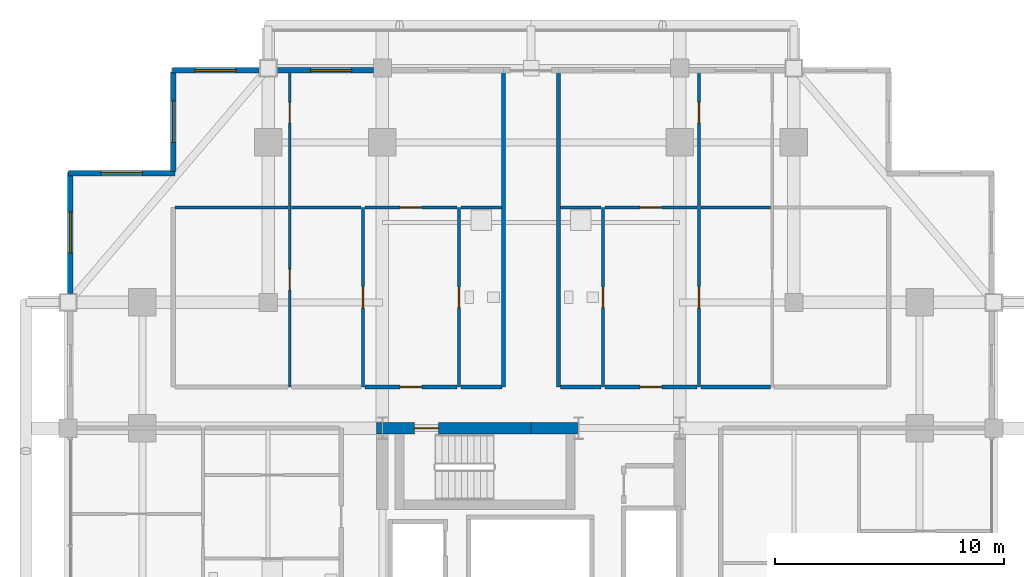
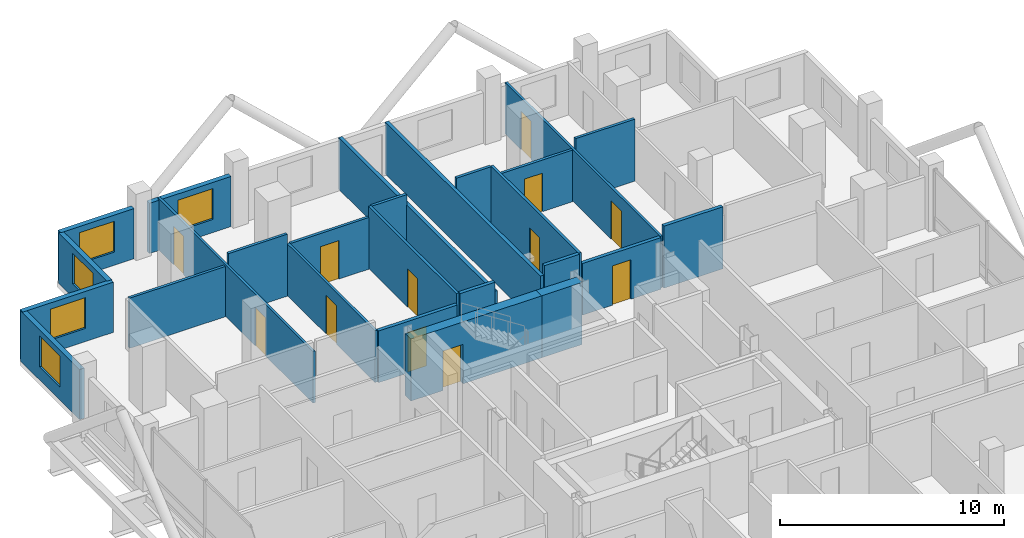
# One storey, part 17 of 21: 26 walls, 12 doors, 5 windows, 17 openings.
"""IFC4 building model written with IfcOpenShell, lengths in metres."""

import ifcopenshell
import ifcopenshell.guid

model = None  # the IFC model being written
_history = None  # IfcOwnerHistory: only IFC2X3 demands one
_inside = {}  # id of a spatial element -> (the spatial element, [elements in it])
_under = {}  # id of a project, library or spatial element -> (it, [spatial elements below it])
_declared = {}  # id of a project -> (the project, [libraries it declares])
_typed = {}  # id of a type object -> (the type object, [elements of that type])
_made_of = {}  # id of a material, layer set ... -> (it, [elements and type objects made of it])


def new_model(schema):
    """Start an empty IFC model of exactly this schema.

    Asked for "IFC4X3", IfcOpenShell would pick the latest addendum, in which some entities
    have other attributes; the version numbers below select the first issue.
    IFC2X3 requires an IfcOwnerHistory on every rooted entity: one is made here for all.
    """
    global model, _history
    if schema == "IFC4X3":
        model = ifcopenshell.file(schema_version=(4, 3, 0, 0))
    else:
        model = ifcopenshell.file(schema=schema)
    _inside.clear()
    _under.clear()
    _declared.clear()
    _typed.clear()
    _made_of.clear()
    _history = None
    if model.schema == "IFC2X3":
        org = make("IfcOrganization", Name="unknown")
        user = make(
            "IfcPersonAndOrganization",
            ThePerson=make("IfcPerson", FamilyName="unknown"),
            TheOrganization=org,
        )
        app = make(
            "IfcApplication",
            ApplicationDeveloper=org,
            Version="unknown",
            ApplicationFullName="unknown",
            ApplicationIdentifier="unknown",
        )
        _history = make(
            "IfcOwnerHistory",
            OwningUser=user,
            OwningApplication=app,
            ChangeAction="ADDED",
            CreationDate=0,
        )
    return model


def make(cls, **values):
    """One entity of the class cls with the attributes given. An attribute that is None is left unset."""
    return model.create_entity(
        cls, **{name: value for name, value in values.items() if value is not None}
    )


def rooted(cls, **values):
    """An entity with a GlobalId (a new one), such as an element, a storey or a relation."""
    return make(cls, GlobalId=ifcopenshell.guid.new(), OwnerHistory=_history, **values)


def si_unit(unit_type, name, prefix=None):
    """IfcSIUnit, for example si_unit("LENGTHUNIT", "METRE", prefix="MILLI")."""
    return make("IfcSIUnit", UnitType=unit_type, Prefix=prefix, Name=name)


def assignment(units):
    """IfcUnitAssignment: the units of a project."""
    return None if units is None else make("IfcUnitAssignment", Units=units)


def point(xyz):
    """IfcCartesianPoint."""
    return None if xyz is None else make("IfcCartesianPoint", Coordinates=xyz)


def direction(xyz):
    """IfcDirection."""
    return None if xyz is None else make("IfcDirection", DirectionRatios=xyz)


def frame(location, z_axis=None, x_axis=None):
    """IfcAxis2Placement3D, a coordinate frame: its origin and axes. An axis left out is left unset."""
    return make(
        "IfcAxis2Placement3D",
        Location=point(location),
        Axis=direction(z_axis),
        RefDirection=direction(x_axis),
    )


def frame_2d(location, x_axis=None):
    """IfcAxis2Placement2D, a coordinate frame in the plane: its origin and x axis."""
    return make(
        "IfcAxis2Placement2D", Location=point(location), RefDirection=direction(x_axis)
    )


def origin():
    """The frame at (0, 0, 0) with its axes left unset."""
    return frame((0.0, 0.0, 0.0))


def place(relative_to, where):
    """IfcLocalPlacement: puts the frame where relative to a parent placement (None: the world)."""
    return make(
        "IfcLocalPlacement", PlacementRelTo=relative_to, RelativePlacement=where
    )


def context(
    kind, dimensions, precision=None, world=None, true_north=None, identifier=None
):
    """IfcGeometricRepresentationContext, for example the 3D "Model" context."""
    return make(
        "IfcGeometricRepresentationContext",
        ContextIdentifier=identifier,
        ContextType=kind,
        CoordinateSpaceDimension=dimensions,
        Precision=precision,
        WorldCoordinateSystem=world,
        TrueNorth=true_north,
    )


def subcontext(parent, identifier, kind, view, scale=None):
    """IfcGeometricRepresentationSubContext, for example "Body" below "Model"."""
    return make(
        "IfcGeometricRepresentationSubContext",
        ContextIdentifier=identifier,
        ContextType=kind,
        ParentContext=parent,
        TargetScale=scale,
        TargetView=view,
    )


def project(units=None, contexts=None):
    """IfcProject with its units and contexts."""
    return rooted(
        "IfcProject",
        Name="project",
        RepresentationContexts=contexts,
        UnitsInContext=assignment(units),
    )


def spatial(cls, under=None, at=None, **own):
    """A site, building, storey or space (cls), placed at a placement, below another one or the project."""
    s = rooted(cls, ObjectPlacement=at, **own)
    if under is not None:
        _under.setdefault(under.id(), (under, []))[1].append(s)
    return s


def profile(cls, at=None, kind="AREA", **sizes):
    """A parametric profile (cls). Its sizes go by their IFC names, for example OverallWidth=200.0."""
    return make(cls, ProfileType=kind, Position=at, **sizes)


def rectangle(**sizes):
    """IfcRectangleProfileDef."""
    return profile("IfcRectangleProfileDef", **sizes)


def extrude(swept, where, along, depth):
    """IfcExtrudedAreaSolid: the profile swept, set in the frame where, extruded along a direction by depth."""
    return make(
        "IfcExtrudedAreaSolid",
        SweptArea=swept,
        Position=where,
        ExtrudedDirection=direction(along),
        Depth=depth,
    )


def shape(context_of_items, identifier, shape_type, items):
    """IfcShapeRepresentation: the items that make up one representation, for example the "Body"."""
    return make(
        "IfcShapeRepresentation",
        ContextOfItems=context_of_items,
        RepresentationIdentifier=identifier,
        RepresentationType=shape_type,
        Items=items,
    )


def material(Name=None, Category=None):
    """IfcMaterial."""
    return make("IfcMaterial", Name=Name, Category=Category)


def layer(
    of_material, thickness, ventilated=None, Name=None, Category=None, Priority=None
):
    """IfcMaterialLayer: one layer of a wall or slab, of a material (None: an air gap)."""
    return make(
        "IfcMaterialLayer",
        Material=of_material,
        LayerThickness=thickness,
        IsVentilated=ventilated,
        Name=Name,
        Category=Category,
        Priority=Priority,
    )


def layer_set(layers, Name=None):
    """IfcMaterialLayerSet."""
    return make("IfcMaterialLayerSet", MaterialLayers=layers, LayerSetName=Name)


def made_of(thing, what):
    """Note that an element or type object is made of a material, layer set ...; save() writes the relation."""
    if what is not None:
        _made_of.setdefault(what.id(), (what, []))[1].append(thing)
    return thing


def type_object(cls, material=None, **own):
    """A type object (cls), such as IfcWallType, which elements share."""
    return made_of(rooted(cls, **own), material)


def element(
    cls,
    number,
    at=None,
    inside=None,
    cuts=None,
    type_object=None,
    material=None,
    context=None,
    identifier="Body",
    shape_type=None,
    held_by="IfcProductDefinitionShape",
    body=None,
    shapes=None,
    **own,
):
    """One element of the class cls, such as IfcWall. Its Tag is "e" and its number.

    at: its placement. inside: the storey or other place that contains it. cuts: it is an
    opening in that element (IfcRelVoidsElement). A single representation is given by context,
    identifier, shape_type and body (its items); several are given by shapes. held_by: the class
    of the entity that holds the representations. save() writes the other relations.
    """
    e = rooted(cls, Tag="e%d" % number, ObjectPlacement=at, **own)
    if body is not None:
        shapes = [shape(context, identifier, shape_type, body)]
    if shapes is not None:
        e.Representation = make(held_by, Representations=shapes)
    if inside is not None:
        _inside.setdefault(inside.id(), (inside, []))[1].append(e)
    if cuts is not None:
        rooted(
            "IfcRelVoidsElement", RelatingBuildingElement=cuts, RelatedOpeningElement=e
        )
    if type_object is not None:
        _typed.setdefault(type_object.id(), (type_object, []))[1].append(e)
    return made_of(e, material)


def fill(opening, filler):
    """IfcRelFillsElement: the door or window that sits in an opening."""
    return rooted(
        "IfcRelFillsElement",
        RelatingOpeningElement=opening,
        RelatedBuildingElement=filler,
    )


def aggregate(whole, parts):
    """IfcRelAggregates: a whole, such as a stair, and the parts it consists of."""
    return rooted("IfcRelAggregates", RelatingObject=whole, RelatedObjects=parts)


def save(model, path):
    """Write the relations noted so far, then the file.

    IfcRelAggregates (storeys below a building ...), IfcRelContainedInSpatialStructure (elements
    in a storey), IfcRelDefinesByType, IfcRelAssociatesMaterial and IfcRelDeclares: one each for
    every whole, place, type object, material and project.
    """
    for whole, parts in _under.values():
        aggregate(whole, parts)
    for where, things in _inside.values():
        rooted(
            "IfcRelContainedInSpatialStructure",
            RelatedElements=things,
            RelatingStructure=where,
        )
    for kind, things in _typed.values():
        rooted("IfcRelDefinesByType", RelatedObjects=things, RelatingType=kind)
    for what, things in _made_of.values():
        rooted("IfcRelAssociatesMaterial", RelatedObjects=things, RelatingMaterial=what)
    for by, libraries in _declared.values():
        rooted("IfcRelDeclares", RelatingContext=by, RelatedDefinitions=libraries)
    model.write(path)


model = new_model("IFC4")

# Units and contexts
model_context = context("Model", 3, precision=1e-05, world=origin(), true_north=direction((0.0, 1.0)))
body_context = subcontext(model_context, "Body", "Model", "MODEL_VIEW")
ifc_project = project(units=[si_unit("LENGTHUNIT", "METRE"), si_unit("AREAUNIT", "SQUARE_METRE"), si_unit("VOLUMEUNIT", "CUBIC_METRE"), si_unit("PLANEANGLEUNIT", "RADIAN"), si_unit("MASSUNIT", "GRAM", prefix="KILO")], contexts=[model_context])

# Site, building, storey
site_placement = place(None, origin())
site = spatial("IfcSite", under=ifc_project, at=site_placement, CompositionType="ELEMENT")
building_placement = place(site_placement, origin())
building = spatial("IfcBuilding", under=site, at=building_placement, Name="Barlavira Tower and Art Museum", CompositionType="ELEMENT")
storey_placement = place(building_placement, frame((0.0, 0.0, 99.0)))
storey = spatial("IfcBuildingStorey", under=building, at=storey_placement, Name="L24", CompositionType="ELEMENT", Elevation=99.0)

# Wall, openings, doors
ifc_material_1 = material(Name="Gypsum acoustic stud partition", Category="gypsum")
ifc_layer_1 = layer(ifc_material_1, 0.1201171875, Name="Gypsum acoustic stud partition")
ifc_layer_set_1 = layer_set([ifc_layer_1], Name="Gypsum acoustic stud partition")
wall_type_1 = type_object("IfcWallType", Name="Apartment Internal Acoustic Partition 120", PredefinedType="PARTITIONING", material=ifc_layer_set_1)
wall_1_placement = place(storey_placement, frame((-10.550048828125, 9.300048828125, 0.0), z_axis=(0.0, 0.0, 1.0), x_axis=(0.0, 1.0, 0.0)))
wall_1 = element("IfcWall", 1, at=wall_1_placement, inside=storey, type_object=wall_type_1, Name="L24 Partition Wall 5", PredefinedType="PARTITIONING", context=body_context, shape_type="SweptSolid", body=[
    extrude(rectangle(XDim=13.849853515625, YDim=0.1201171875, at=frame_2d((6.9248046875, 0.0))), origin(), (0.0, 0.0, 1.0), 2.81591796875),
])
opening_1_placement = place(wall_1_placement, frame((4.249267578125, 0.0, 0.0)))
opening_1 = element("IfcOpeningElement", 2, at=opening_1_placement, cuts=wall_1, Name="Opening D-01", PredefinedType="OPENING", context=body_context, shape_type="SweptSolid", body=[
    extrude(rectangle(XDim=0.89990234375, YDim=2.10009765625, at=frame_2d((0.449951171875, 1.050048828125))), frame((0.0, 0.070068359375, 0.0), z_axis=(0.0, -1.0, 0.0), x_axis=(1.0, 0.0, 0.0)), (0.0, 0.0, 1.0), 0.14013671875),
])
opening_2_placement = place(wall_1_placement, frame((11.551025390625, 0.0, 0.0)))
opening_2 = element("IfcOpeningElement", 3, at=opening_2_placement, cuts=wall_1, Name="Opening D-01", PredefinedType="OPENING", context=body_context, shape_type="SweptSolid", body=[
    extrude(rectangle(XDim=0.89990234375, YDim=2.10009765625, at=frame_2d((0.449951171875, 1.050048828125))), frame((0.0, 0.070068359375, 0.0), z_axis=(0.0, -1.0, 0.0), x_axis=(1.0, 0.0, 0.0)), (0.0, 0.0, 1.0), 0.14013671875),
])
ifc_material_2 = material(Name="Engineered coastal hardwood", Category="wood")
door_type_1 = type_object("IfcDoorType", Name="Internal Bedroom Timber Flush Door 900x2100", OperationType="NOTDEFINED", PredefinedType="DOOR", material=ifc_material_2)
door_1_placement = place(opening_1_placement, origin())
door_1 = element("IfcDoor", 4, at=door_1_placement, inside=storey, type_object=door_type_1, Name="Apartment NW1 Walk-In Dressing Room Door", OperationType="SINGLE_SWING_LEFT", OverallHeight=2.10009765625, OverallWidth=0.89990234375, PredefinedType="DOOR", context=body_context, shape_type="SweptSolid", body=[
    extrude(rectangle(XDim=0.89990234375, YDim=2.10009765625, at=frame_2d((0.449951171875, 1.050048828125))), frame((0.0, 0.02490234375, 0.0), z_axis=(0.0, -1.0, 0.0), x_axis=(1.0, 0.0, 0.0)), (0.0, 0.0, 1.0), 0.050048828125),
])
fill(opening_1, door_1)
door_2_placement = place(opening_2_placement, origin())
door_2 = element("IfcDoor", 5, at=door_2_placement, inside=storey, type_object=door_type_1, Name="Apartment NW1 Bedroom 1 Door", OperationType="SINGLE_SWING_LEFT", OverallHeight=2.10009765625, OverallWidth=0.89990234375, PredefinedType="DOOR", context=body_context, shape_type="SweptSolid", body=[
    extrude(rectangle(XDim=0.89990234375, YDim=2.10009765625, at=frame_2d((0.449951171875, 1.050048828125))), frame((0.0, 0.02490234375, 0.0), z_axis=(0.0, -1.0, 0.0), x_axis=(1.0, 0.0, 0.0)), (0.0, 0.0, 1.0), 0.050048828125),
])
fill(opening_2, door_2)

# Wall, opening, door
wall_2_placement = place(storey_placement, frame((-7.35009765625, 9.300048828125, 0.0), z_axis=(0.0, 0.0, 1.0), x_axis=(0.0, 1.0, 0.0)))
wall_2 = element("IfcWall", 6, at=wall_2_placement, inside=storey, type_object=wall_type_1, Name="L24 Partition Wall 8", PredefinedType="PARTITIONING", context=body_context, shape_type="SweptSolid", body=[
    extrude(rectangle(XDim=7.849853515625, YDim=0.1201171875, at=frame_2d((3.9248046875, 0.0))), origin(), (0.0, 0.0, 1.0), 2.81591796875),
])
opening_3_placement = place(wall_2_placement, frame((3.445068359375, 0.0, 0.0)))
opening_3 = element("IfcOpeningElement", 7, at=opening_3_placement, cuts=wall_2, Name="Opening D-02", PredefinedType="OPENING", context=body_context, shape_type="SweptSolid", body=[
    extrude(rectangle(XDim=0.949951171875, YDim=2.10009765625, at=frame_2d((0.47509765625, 1.050048828125))), frame((0.0, 0.070068359375, 0.0), z_axis=(0.0, -1.0, 0.0), x_axis=(1.0, 0.0, 0.0)), (0.0, 0.0, 1.0), 0.14013671875),
])
door_type_2 = type_object("IfcDoorType", Name="Living and Salon Glazed-Leaf Door 950x2100", OperationType="NOTDEFINED", PredefinedType="DOOR", material=ifc_material_2)
door_3_placement = place(opening_3_placement, origin())
door_3 = element("IfcDoor", 8, at=door_3_placement, inside=storey, type_object=door_type_2, Name="Apartment NW1 Kitchen Door", OperationType="SINGLE_SWING_RIGHT", OverallHeight=2.10009765625, OverallWidth=0.949951171875, PredefinedType="DOOR", context=body_context, shape_type="SweptSolid", body=[
    extrude(rectangle(XDim=0.949951171875, YDim=2.10009765625, at=frame_2d((0.47509765625, 1.050048828125))), frame((0.0, 0.02490234375, 0.0), z_axis=(0.0, -1.0, 0.0), x_axis=(1.0, 0.0, 0.0)), (0.0, 0.0, 1.0), 0.050048828125),
])
fill(opening_3, door_3)

# Wall, openings, doors
wall_3_placement = place(storey_placement, frame((7.35009765625, 9.300048828125, 0.0), z_axis=(0.0, 0.0, 1.0), x_axis=(0.0, 1.0, 0.0)))
wall_3 = element("IfcWall", 9, at=wall_3_placement, inside=storey, type_object=wall_type_1, Name="L24 Partition Wall 19", PredefinedType="PARTITIONING", context=body_context, shape_type="SweptSolid", body=[
    extrude(rectangle(XDim=13.849853515625, YDim=0.1201171875, at=frame_2d((6.9248046875, 0.0))), origin(), (0.0, 0.0, 1.0), 2.81591796875),
])
opening_4_placement = place(wall_3_placement, frame((3.445068359375, 0.0, 0.0)))
opening_4 = element("IfcOpeningElement", 10, at=opening_4_placement, cuts=wall_3, Name="Opening D-02", PredefinedType="OPENING", context=body_context, shape_type="SweptSolid", body=[
    extrude(rectangle(XDim=0.949951171875, YDim=2.10009765625, at=frame_2d((0.47509765625, 1.050048828125))), frame((0.0, 0.070068359375, 0.0), z_axis=(0.0, -1.0, 0.0), x_axis=(1.0, 0.0, 0.0)), (0.0, 0.0, 1.0), 0.14013671875),
])
opening_5_placement = place(wall_3_placement, frame((11.551025390625, 0.0, 0.0)))
opening_5 = element("IfcOpeningElement", 11, at=opening_5_placement, cuts=wall_3, Name="Opening D-01", PredefinedType="OPENING", context=body_context, shape_type="SweptSolid", body=[
    extrude(rectangle(XDim=0.89990234375, YDim=2.10009765625, at=frame_2d((0.449951171875, 1.050048828125))), frame((0.0, 0.070068359375, 0.0), z_axis=(0.0, -1.0, 0.0), x_axis=(1.0, 0.0, 0.0)), (0.0, 0.0, 1.0), 0.14013671875),
])
door_4_placement = place(opening_5_placement, origin())
door_4 = element("IfcDoor", 12, at=door_4_placement, inside=storey, type_object=door_type_1, Name="Apartment NE1 Bedroom 1 Door", OperationType="SINGLE_SWING_LEFT", OverallHeight=2.10009765625, OverallWidth=0.89990234375, PredefinedType="DOOR", context=body_context, shape_type="SweptSolid", body=[
    extrude(rectangle(XDim=0.89990234375, YDim=2.10009765625, at=frame_2d((0.449951171875, 1.050048828125))), frame((0.0, 0.02490234375, 0.0), z_axis=(0.0, -1.0, 0.0), x_axis=(1.0, 0.0, 0.0)), (0.0, 0.0, 1.0), 0.050048828125),
])
fill(opening_5, door_4)
door_5_placement = place(opening_4_placement, origin())
door_5 = element("IfcDoor", 13, at=door_5_placement, inside=storey, type_object=door_type_2, Name="Apartment NE1 Kitchen Door", OperationType="SINGLE_SWING_RIGHT", OverallHeight=2.10009765625, OverallWidth=0.949951171875, PredefinedType="DOOR", context=body_context, shape_type="SweptSolid", body=[
    extrude(rectangle(XDim=0.949951171875, YDim=2.10009765625, at=frame_2d((0.47509765625, 1.050048828125))), frame((0.0, 0.02490234375, 0.0), z_axis=(0.0, -1.0, 0.0), x_axis=(1.0, 0.0, 0.0)), (0.0, 0.0, 1.0), 0.050048828125),
])
fill(opening_4, door_5)

# Wall, opening, door
ifc_material_3 = material(Name="Concrete C60", Category="concrete")
ifc_layer_2 = layer(ifc_material_3, 0.5, Name="Concrete C60")
ifc_layer_set_2 = layer_set([ifc_layer_2], Name="Concrete C60")
wall_type_2 = type_object("IfcWallType", Name="Core Structural Shear Wall 500 Concrete C60", PredefinedType="SHEAR", material=ifc_layer_set_2)
wall_4_placement = place(storey_placement, frame((-6.75, 7.5, 0.0), z_axis=(0.0, 0.0, 1.0), x_axis=(1.0, 0.0, 0.0)))
wall_4 = element("IfcWall", 14, at=wall_4_placement, inside=storey, type_object=wall_type_2, Name="L24 Core Shear Wall CS-NW", PredefinedType="SHEAR", context=body_context, shape_type="SweptSolid", body=[
    extrude(rectangle(XDim=6.75, YDim=0.5, at=frame_2d((3.375, 0.0))), origin(), (0.0, 0.0, 1.0), 3.3798828125),
])
opening_6_placement = place(wall_4_placement, frame((1.64990234375, 0.0, 0.0)))
opening_6 = element("IfcOpeningElement", 15, at=opening_6_placement, cuts=wall_4, Name="Opening FD-90", PredefinedType="OPENING", context=body_context, shape_type="SweptSolid", body=[
    extrude(rectangle(XDim=1.050048828125, YDim=2.14990234375, at=frame_2d((0.52490234375, 1.074951171875))), frame((0.0, 0.260009765625, 0.0), z_axis=(0.0, -1.0, 0.0), x_axis=(1.0, 0.0, 0.0)), (0.0, 0.0, 1.0), 0.52001953125),
])
ifc_material_4 = material(Name="Brushed stainless steel", Category="steel")
door_type_3 = type_object("IfcDoorType", Name="Stair and Refuge Fire Door 1050x2150 FD90S", OperationType="NOTDEFINED", PredefinedType="DOOR", material=ifc_material_4)
door_6_placement = place(opening_6_placement, origin())
door_6 = element("IfcDoor", 16, at=door_6_placement, inside=storey, type_object=door_type_3, Name="L24 Stair ST-T2 Fire Door", OperationType="SINGLE_SWING_LEFT", OverallHeight=2.14990234375, OverallWidth=1.050048828125, PredefinedType="DOOR", context=body_context, shape_type="SweptSolid", body=[
    extrude(rectangle(XDim=1.050048828125, YDim=2.14990234375, at=frame_2d((0.52490234375, 1.074951171875))), frame((0.0, 0.02490234375, 0.0), z_axis=(0.0, -1.0, 0.0), x_axis=(1.0, 0.0, 0.0)), (0.0, 0.0, 1.0), 0.050048828125),
])
fill(opening_6, door_6)

# Walls
wall_5_placement = place(storey_placement, frame((0.0, 7.5, 0.0), z_axis=(0.0, 0.0, 1.0), x_axis=(1.0, 0.0, 0.0)))
element("IfcWall", 17, at=wall_5_placement, inside=storey, type_object=wall_type_2, Name="L24 Core Shear Wall CS-EN", PredefinedType="SHEAR", context=body_context, shape_type="SweptSolid", body=[
    extrude(rectangle(XDim=2.080078125, YDim=0.5, at=frame_2d((1.0400390625, 0.0))), origin(), (0.0, 0.0, 1.0), 3.3798828125),
])
ifc_layer_3 = layer(ifc_material_1, 0.179931640625, Name="Gypsum acoustic stud partition")
ifc_layer_set_3 = layer_set([ifc_layer_3], Name="Gypsum acoustic stud partition")
wall_type_3 = type_object("IfcWallType", Name="Inter-Tenancy Party Partition Wall 180", PredefinedType="PARTITIONING", material=ifc_layer_set_3)
for number, where, z_axis, x_axis, name in (
    (18, (-1.199951171875, 9.300048828125, 0.0), (0.0, 0.0, 1.0), (0.0, 1.0, 0.0), "L24 Partition Wall 12"),
    (19, (1.199951171875, 9.300048828125, 0.0), (0.0, 0.0, 1.0), (0.0, 1.0, 0.0), "L24 Partition Wall 14"),
):
    element("IfcWall", number, at=place(storey_placement, frame(where, z_axis=z_axis, x_axis=x_axis)), inside=storey, type_object=wall_type_3, Name=name, PredefinedType="PARTITIONING", context=body_context, shape_type="SweptSolid", body=[
        extrude(rectangle(XDim=13.849853515625, YDim=0.179931640625, at=frame_2d((6.9248046875, 0.0))), origin(), (0.0, 0.0, 1.0), 2.81591796875),
    ])

# Wall, opening, door
wall_6_placement = place(storey_placement, frame((-7.27001953125, 9.300048828125, 0.0), z_axis=(0.0, 0.0, 1.0), x_axis=(1.0, 0.0, 0.0)))
wall_6 = element("IfcWall", 20, at=wall_6_placement, inside=storey, type_object=wall_type_3, Name="L24 Partition Wall 66", PredefinedType="PARTITIONING", context=body_context, shape_type="SweptSolid", body=[
    extrude(rectangle(XDim=4.0400390625, YDim=0.179931640625, at=frame_2d((2.02001953125, 0.0))), origin(), (0.0, 0.0, 1.0), 2.81591796875),
])
opening_7_placement = place(wall_6_placement, frame((1.544921875, 0.0, 0.0)))
opening_7 = element("IfcOpeningElement", 21, at=opening_7_placement, cuts=wall_6, Name="Opening FD-60", PredefinedType="OPENING", context=body_context, shape_type="SweptSolid", body=[
    extrude(rectangle(XDim=0.949951171875, YDim=2.14990234375, at=frame_2d((0.47509765625, 1.074951171875))), frame((0.0, 0.10009765625, 0.0), z_axis=(0.0, -1.0, 0.0), x_axis=(1.0, 0.0, 0.0)), (0.0, 0.0, 1.0), 0.199951171875),
])
door_type_4 = type_object("IfcDoorType", Name="Apartment Entrance and Riser Fire Door 950x2150 FD60S", OperationType="NOTDEFINED", PredefinedType="DOOR", material=ifc_material_4)
door_7_placement = place(opening_7_placement, origin())
door_7 = element("IfcDoor", 22, at=door_7_placement, inside=storey, type_object=door_type_4, Name="Apartment Entrance Hall NW1 Door", OperationType="SINGLE_SWING_LEFT", OverallHeight=2.14990234375, OverallWidth=0.949951171875, PredefinedType="DOOR", context=body_context, shape_type="SweptSolid", body=[
    extrude(rectangle(XDim=0.949951171875, YDim=2.14990234375, at=frame_2d((0.47509765625, 1.074951171875))), frame((0.0, 0.02490234375, 0.0), z_axis=(0.0, -1.0, 0.0), x_axis=(1.0, 0.0, 0.0)), (0.0, 0.0, 1.0), 0.050048828125),
])
fill(opening_7, door_7)

# Walls
for number, where, z_axis, x_axis, name in (
    (23, (-3.070068359375, 9.300048828125, 0.0), (0.0, 0.0, 1.0), (1.0, 0.0, 0.0), "L24 Partition Wall 67"),
    (24, (1.280029296875, 9.300048828125, 0.0), (0.0, 0.0, 1.0), (1.0, 0.0, 0.0), "L24 Partition Wall 68"),
):
    element("IfcWall", number, at=place(storey_placement, frame(where, z_axis=z_axis, x_axis=x_axis)), inside=storey, type_object=wall_type_3, Name=name, PredefinedType="PARTITIONING", context=body_context, shape_type="SweptSolid", body=[
        extrude(rectangle(XDim=1.7900390625, YDim=0.179931640625, at=frame_2d((0.89501953125, 0.0))), origin(), (0.0, 0.0, 1.0), 3.3798828125),
    ])

# Wall, opening, door
wall_7_placement = place(storey_placement, frame((3.22998046875, 9.300048828125, 0.0), z_axis=(0.0, 0.0, 1.0), x_axis=(1.0, 0.0, 0.0)))
wall_7 = element("IfcWall", 25, at=wall_7_placement, inside=storey, type_object=wall_type_3, Name="L24 Partition Wall 69", PredefinedType="PARTITIONING", context=body_context, shape_type="SweptSolid", body=[
    extrude(rectangle(XDim=4.0400390625, YDim=0.179931640625, at=frame_2d((2.02001953125, 0.0))), origin(), (0.0, 0.0, 1.0), 2.81591796875),
])
opening_8_placement = place(wall_7_placement, frame((1.544921875, 0.0, 0.0)))
opening_8 = element("IfcOpeningElement", 26, at=opening_8_placement, cuts=wall_7, Name="Opening FD-60", PredefinedType="OPENING", context=body_context, shape_type="SweptSolid", body=[
    extrude(rectangle(XDim=0.949951171875, YDim=2.14990234375, at=frame_2d((0.47509765625, 1.074951171875))), frame((0.0, 0.10009765625, 0.0), z_axis=(0.0, -1.0, 0.0), x_axis=(1.0, 0.0, 0.0)), (0.0, 0.0, 1.0), 0.199951171875),
])
door_8_placement = place(opening_8_placement, origin())
door_8 = element("IfcDoor", 27, at=door_8_placement, inside=storey, type_object=door_type_4, Name="Apartment Entrance Hall NE1 Door", OperationType="SINGLE_SWING_LEFT", OverallHeight=2.14990234375, OverallWidth=0.949951171875, PredefinedType="DOOR", context=body_context, shape_type="SweptSolid", body=[
    extrude(rectangle(XDim=0.949951171875, YDim=2.14990234375, at=frame_2d((0.47509765625, 1.074951171875))), frame((0.0, 0.02490234375, 0.0), z_axis=(0.0, -1.0, 0.0), x_axis=(1.0, 0.0, 0.0)), (0.0, 0.0, 1.0), 0.050048828125),
])
fill(opening_8, door_8)

# Wall
wall_8_placement = place(storey_placement, frame((7.429931640625, 9.300048828125, 0.0), z_axis=(0.0, 0.0, 1.0), x_axis=(1.0, 0.0, 0.0)))
element("IfcWall", 28, at=wall_8_placement, inside=storey, type_object=wall_type_3, Name="L24 Partition Wall 70", PredefinedType="PARTITIONING", context=body_context, shape_type="SweptSolid", body=[
    extrude(rectangle(XDim=3.0400390625, YDim=0.179931640625, at=frame_2d((1.52001953125, 0.0))), origin(), (0.0, 0.0, 1.0), 3.3798828125),
])

# Wall, opening, door
ifc_layer_4 = layer(ifc_material_1, 0.139892578125, Name="Gypsum acoustic stud partition")
ifc_layer_set_4 = layer_set([ifc_layer_4], Name="Gypsum acoustic stud partition")
wall_type_4 = type_object("IfcWallType", Name="Moisture-Resistant Bathroom Partition 140", PredefinedType="PARTITIONING", material=ifc_layer_set_4)
wall_9_placement = place(storey_placement, frame((-3.14990234375, 9.300048828125, 0.0), z_axis=(0.0, 0.0, 1.0), x_axis=(0.0, 1.0, 0.0)))
wall_9 = element("IfcWall", 29, at=wall_9_placement, inside=storey, type_object=wall_type_4, Name="L24 Partition Wall 10", PredefinedType="PARTITIONING", context=body_context, shape_type="SweptSolid", body=[
    extrude(rectangle(XDim=7.849853515625, YDim=0.139892578125, at=frame_2d((3.9248046875, 0.0))), origin(), (0.0, 0.0, 1.0), 3.3798828125),
])
opening_9_placement = place(wall_9_placement, frame((3.469970703125, 0.0, 0.0)))
opening_9 = element("IfcOpeningElement", 30, at=opening_9_placement, cuts=wall_9, Name="Opening D-WC", PredefinedType="OPENING", context=body_context, shape_type="SweptSolid", body=[
    extrude(rectangle(XDim=0.89990234375, YDim=2.10009765625, at=frame_2d((0.449951171875, 1.050048828125))), frame((0.0, 0.080078125, 0.0), z_axis=(0.0, -1.0, 0.0), x_axis=(1.0, 0.0, 0.0)), (0.0, 0.0, 1.0), 0.159912109375),
])
door_type_5 = type_object("IfcDoorType", Name="Accessible Bathroom Flush Door 900x2100", OperationType="NOTDEFINED", PredefinedType="DOOR", material=ifc_material_2)
door_9_placement = place(opening_9_placement, origin())
door_9 = element("IfcDoor", 31, at=door_9_placement, inside=storey, type_object=door_type_5, Name="Apartment NW1 Hall Bathroom Door", OperationType="SINGLE_SWING_RIGHT", OverallHeight=2.10009765625, OverallWidth=0.89990234375, PredefinedType="DOOR", context=body_context, shape_type="SweptSolid", body=[
    extrude(rectangle(XDim=0.89990234375, YDim=2.10009765625, at=frame_2d((0.449951171875, 1.050048828125))), frame((0.0, 0.02490234375, 0.0), z_axis=(0.0, -1.0, 0.0), x_axis=(1.0, 0.0, 0.0)), (0.0, 0.0, 1.0), 0.050048828125),
])
fill(opening_9, door_9)

wall_10_placement = place(storey_placement, frame((3.14990234375, 9.300048828125, 0.0), z_axis=(0.0, 0.0, 1.0), x_axis=(0.0, 1.0, 0.0)))
wall_10 = element("IfcWall", 32, at=wall_10_placement, inside=storey, type_object=wall_type_4, Name="L24 Partition Wall 16", PredefinedType="PARTITIONING", context=body_context, shape_type="SweptSolid", body=[
    extrude(rectangle(XDim=7.849853515625, YDim=0.139892578125, at=frame_2d((3.9248046875, 0.0))), origin(), (0.0, 0.0, 1.0), 3.3798828125),
])
opening_10_placement = place(wall_10_placement, frame((3.469970703125, 0.0, 0.0)))
opening_10 = element("IfcOpeningElement", 33, at=opening_10_placement, cuts=wall_10, Name="Opening D-WC", PredefinedType="OPENING", context=body_context, shape_type="SweptSolid", body=[
    extrude(rectangle(XDim=0.89990234375, YDim=2.10009765625, at=frame_2d((0.449951171875, 1.050048828125))), frame((0.0, 0.080078125, 0.0), z_axis=(0.0, -1.0, 0.0), x_axis=(1.0, 0.0, 0.0)), (0.0, 0.0, 1.0), 0.159912109375),
])
door_10_placement = place(opening_10_placement, origin())
door_10 = element("IfcDoor", 34, at=door_10_placement, inside=storey, type_object=door_type_5, Name="Apartment NE1 Hall Bathroom Door", OperationType="SINGLE_SWING_RIGHT", OverallHeight=2.10009765625, OverallWidth=0.89990234375, PredefinedType="DOOR", context=body_context, shape_type="SweptSolid", body=[
    extrude(rectangle(XDim=0.89990234375, YDim=2.10009765625, at=frame_2d((0.449951171875, 1.050048828125))), frame((0.0, 0.02490234375, 0.0), z_axis=(0.0, -1.0, 0.0), x_axis=(1.0, 0.0, 0.0)), (0.0, 0.0, 1.0), 0.050048828125),
])
fill(opening_10, door_10)

# Walls
wall_11_placement = place(storey_placement, frame((-15.570068359375, 17.14990234375, 0.0), z_axis=(0.0, 0.0, 1.0), x_axis=(1.0, 0.0, 0.0)))
element("IfcWall", 35, at=wall_11_placement, inside=storey, type_object=wall_type_4, Name="L24 Partition Wall 72", PredefinedType="PARTITIONING", context=body_context, shape_type="SweptSolid", body=[
    extrude(rectangle(XDim=4.940185546875, YDim=0.139892578125, at=frame_2d((2.47021484375, 0.0))), origin(), (0.0, 0.0, 1.0), 2.736083984375),
])
wall_12_placement = place(storey_placement, frame((-10.469970703125, 17.14990234375, 0.0), z_axis=(0.0, 0.0, 1.0), x_axis=(1.0, 0.0, 0.0)))
element("IfcWall", 36, at=wall_12_placement, inside=storey, type_object=wall_type_4, Name="L24 Partition Wall 73", PredefinedType="PARTITIONING", context=body_context, shape_type="SweptSolid", body=[
    extrude(rectangle(XDim=3.0400390625, YDim=0.139892578125, at=frame_2d((1.52001953125, 0.0))), origin(), (0.0, 0.0, 1.0), 3.3798828125),
])

# Wall, opening, door
wall_13_placement = place(storey_placement, frame((-7.27001953125, 17.14990234375, 0.0), z_axis=(0.0, 0.0, 1.0), x_axis=(1.0, 0.0, 0.0)))
wall_13 = element("IfcWall", 37, at=wall_13_placement, inside=storey, type_object=wall_type_4, Name="L24 Partition Wall 74", PredefinedType="PARTITIONING", context=body_context, shape_type="SweptSolid", body=[
    extrude(rectangle(XDim=4.0400390625, YDim=0.139892578125, at=frame_2d((2.02001953125, 0.0))), origin(), (0.0, 0.0, 1.0), 2.81591796875),
])
opening_11_placement = place(wall_13_placement, frame((1.544921875, 0.0, 0.0)))
opening_11 = element("IfcOpeningElement", 38, at=opening_11_placement, cuts=wall_13, Name="Opening D-02", PredefinedType="OPENING", context=body_context, shape_type="SweptSolid", body=[
    extrude(rectangle(XDim=0.949951171875, YDim=2.10009765625, at=frame_2d((0.47509765625, 1.050048828125))), frame((0.0, 0.080078125, 0.0), z_axis=(0.0, -1.0, 0.0), x_axis=(1.0, 0.0, 0.0)), (0.0, 0.0, 1.0), 0.159912109375),
])
door_11_placement = place(opening_11_placement, origin())
door_11 = element("IfcDoor", 39, at=door_11_placement, inside=storey, type_object=door_type_2, Name="Apartment NW1 Living Lounge Door", OperationType="SINGLE_SWING_RIGHT", OverallHeight=2.10009765625, OverallWidth=0.949951171875, PredefinedType="DOOR", context=body_context, shape_type="SweptSolid", body=[
    extrude(rectangle(XDim=0.949951171875, YDim=2.10009765625, at=frame_2d((0.47509765625, 1.050048828125))), frame((0.0, 0.02490234375, 0.0), z_axis=(0.0, -1.0, 0.0), x_axis=(1.0, 0.0, 0.0)), (0.0, 0.0, 1.0), 0.050048828125),
])
fill(opening_11, door_11)

# Walls
for number, where, z_axis, x_axis, name in (
    (40, (-3.070068359375, 17.14990234375, 0.0), (0.0, 0.0, 1.0), (1.0, 0.0, 0.0), "L24 Partition Wall 75"),
    (41, (1.280029296875, 17.14990234375, 0.0), (0.0, 0.0, 1.0), (1.0, 0.0, 0.0), "L24 Partition Wall 76"),
):
    element("IfcWall", number, at=place(storey_placement, frame(where, z_axis=z_axis, x_axis=x_axis)), inside=storey, type_object=wall_type_4, Name=name, PredefinedType="PARTITIONING", context=body_context, shape_type="SweptSolid", body=[
        extrude(rectangle(XDim=1.7900390625, YDim=0.139892578125, at=frame_2d((0.89501953125, 0.0))), origin(), (0.0, 0.0, 1.0), 3.3798828125),
    ])

# Wall, opening, door
wall_14_placement = place(storey_placement, frame((3.22998046875, 17.14990234375, 0.0), z_axis=(0.0, 0.0, 1.0), x_axis=(1.0, 0.0, 0.0)))
wall_14 = element("IfcWall", 42, at=wall_14_placement, inside=storey, type_object=wall_type_4, Name="L24 Partition Wall 77", PredefinedType="PARTITIONING", context=body_context, shape_type="SweptSolid", body=[
    extrude(rectangle(XDim=4.0400390625, YDim=0.139892578125, at=frame_2d((2.02001953125, 0.0))), origin(), (0.0, 0.0, 1.0), 2.81591796875),
])
opening_12_placement = place(wall_14_placement, frame((1.544921875, 0.0, 0.0)))
opening_12 = element("IfcOpeningElement", 43, at=opening_12_placement, cuts=wall_14, Name="Opening D-02", PredefinedType="OPENING", context=body_context, shape_type="SweptSolid", body=[
    extrude(rectangle(XDim=0.949951171875, YDim=2.10009765625, at=frame_2d((0.47509765625, 1.050048828125))), frame((0.0, 0.080078125, 0.0), z_axis=(0.0, -1.0, 0.0), x_axis=(1.0, 0.0, 0.0)), (0.0, 0.0, 1.0), 0.159912109375),
])
door_12_placement = place(opening_12_placement, origin())
door_12 = element("IfcDoor", 44, at=door_12_placement, inside=storey, type_object=door_type_2, Name="Apartment NE1 Living Lounge Door", OperationType="SINGLE_SWING_RIGHT", OverallHeight=2.10009765625, OverallWidth=0.949951171875, PredefinedType="DOOR", context=body_context, shape_type="SweptSolid", body=[
    extrude(rectangle(XDim=0.949951171875, YDim=2.10009765625, at=frame_2d((0.47509765625, 1.050048828125))), frame((0.0, 0.02490234375, 0.0), z_axis=(0.0, -1.0, 0.0), x_axis=(1.0, 0.0, 0.0)), (0.0, 0.0, 1.0), 0.050048828125),
])
fill(opening_12, door_12)

# Wall
wall_15_placement = place(storey_placement, frame((7.429931640625, 17.14990234375, 0.0), z_axis=(0.0, 0.0, 1.0), x_axis=(1.0, 0.0, 0.0)))
element("IfcWall", 45, at=wall_15_placement, inside=storey, type_object=wall_type_4, Name="L24 Partition Wall 78", PredefinedType="PARTITIONING", context=body_context, shape_type="SweptSolid", body=[
    extrude(rectangle(XDim=3.0400390625, YDim=0.139892578125, at=frame_2d((1.52001953125, 0.0))), origin(), (0.0, 0.0, 1.0), 3.3798828125),
])

# Wall, opening, window
ifc_material_5 = material(Name="Precast concrete C40", Category="concrete")
ifc_layer_5 = layer(ifc_material_5, 0.25, Name="Precast concrete C40")
ifc_layer_set_5 = layer_set([ifc_layer_5], Name="Precast concrete C40")
wall_type_5 = type_object("IfcWallType", Name="Notched Corner Spandrel Wall 250 Precast Concrete C40", PredefinedType="SOLIDWALL", material=ifc_layer_set_5)
wall_16_placement = place(storey_placement, frame((-6.89501953125, 23.14990234375, 0.0), z_axis=(0.0, 0.0, 1.0), x_axis=(-1.0, 0.0, 0.0)))
wall_16 = element("IfcWall", 46, at=wall_16_placement, inside=storey, type_object=wall_type_5, Name="L24 Coastal Facade Pier Wall CW2-L24-NL-2", PredefinedType="SOLIDWALL", context=body_context, shape_type="SweptSolid", body=[
    extrude(rectangle(XDim=4.2099609375, YDim=0.25, at=frame_2d((2.10498046875, 0.0))), origin(), (0.0, 0.0, 1.0), 2.736083984375),
])
opening_13_placement = place(wall_16_placement, frame((0.949951171875, 0.0, 0.719970703125)))
opening_13 = element("IfcOpeningElement", 47, at=opening_13_placement, cuts=wall_16, Name="Opening WN-01", PredefinedType="OPENING", context=body_context, shape_type="SweptSolid", body=[
    extrude(rectangle(XDim=1.800048828125, YDim=1.679931640625, at=frame_2d((0.89990234375, 0.83984375))), frame((0.0, 0.135009765625, 0.0), z_axis=(0.0, -1.0, 0.0), x_axis=(1.0, 0.0, 0.0)), (0.0, 0.0, 1.0), 0.27001953125),
])
ifc_material_6 = material(Name="Low-iron coastal laminated glass", Category="glass")
window_type = type_object("IfcWindowType", Name="Recessed Notch Corner Punch Window 1800x1680", PartitioningType="SINGLE_PANEL", PredefinedType="WINDOW", material=ifc_material_6)
window_1_placement = place(opening_13_placement, origin())
window_1 = element("IfcWindow", 48, at=window_1_placement, inside=storey, type_object=window_type, Name="L24 Punched Facade Window EWP-CW2-L24-NL-2-1", OverallHeight=1.679931640625, OverallWidth=1.800048828125, PartitioningType="SINGLE_PANEL", PredefinedType="WINDOW", context=body_context, shape_type="SweptSolid", body=[
    extrude(rectangle(XDim=1.800048828125, YDim=1.679931640625, at=frame_2d((0.89990234375, 0.83984375))), frame((0.0, 0.030029296875, 0.0), z_axis=(0.0, -1.0, 0.0), x_axis=(1.0, 0.0, 0.0)), (0.0, 0.0, 1.0), 0.06005859375),
])
fill(opening_13, window_1)

wall_17_placement = place(storey_placement, frame((-11.89501953125, 23.14990234375, 0.0), z_axis=(0.0, 0.0, 1.0), x_axis=(-1.0, 0.0, 0.0)))
wall_17 = element("IfcWall", 49, at=wall_17_placement, inside=storey, type_object=wall_type_5, Name="L24 Coastal Facade Pier Wall CW2-L24-NL-3", PredefinedType="SOLIDWALL", context=body_context, shape_type="SweptSolid", body=[
    extrude(rectangle(XDim=3.780029296875, YDim=0.25, at=frame_2d((1.89013671875, 0.0))), origin(), (0.0, 0.0, 1.0), 2.736083984375),
])
opening_14_placement = place(wall_17_placement, frame((1.012939453125, 0.0, 0.719970703125)))
opening_14 = element("IfcOpeningElement", 50, at=opening_14_placement, cuts=wall_17, Name="Opening WN-01", PredefinedType="OPENING", context=body_context, shape_type="SweptSolid", body=[
    extrude(rectangle(XDim=1.800048828125, YDim=1.679931640625, at=frame_2d((0.89990234375, 0.83984375))), frame((0.0, 0.135009765625, 0.0), z_axis=(0.0, -1.0, 0.0), x_axis=(1.0, 0.0, 0.0)), (0.0, 0.0, 1.0), 0.27001953125),
])
window_2_placement = place(opening_14_placement, origin())
window_2 = element("IfcWindow", 51, at=window_2_placement, inside=storey, type_object=window_type, Name="L24 Punched Facade Window EWP-CW2-L24-NL-3-1", OverallHeight=1.679931640625, OverallWidth=1.800048828125, PartitioningType="SINGLE_PANEL", PredefinedType="WINDOW", context=body_context, shape_type="SweptSolid", body=[
    extrude(rectangle(XDim=1.800048828125, YDim=1.679931640625, at=frame_2d((0.89990234375, 0.83984375))), frame((0.0, 0.030029296875, 0.0), z_axis=(0.0, -1.0, 0.0), x_axis=(1.0, 0.0, 0.0)), (0.0, 0.0, 1.0), 0.06005859375),
])
fill(opening_14, window_2)

wall_18_placement = place(storey_placement, frame((-20.14990234375, 18.675048828125, 0.0), z_axis=(0.0, 0.0, 1.0), x_axis=(0.0, -1.0, 0.0)))
wall_18 = element("IfcWall", 52, at=wall_18_placement, inside=storey, type_object=wall_type_5, Name="L24 Coastal Facade Pier Wall CW2-L24-W-1", PredefinedType="SOLIDWALL", context=body_context, shape_type="SweptSolid", body=[
    extrude(rectangle(XDim=5.280029296875, YDim=0.25, at=frame_2d((2.64013671875, 0.0))), origin(), (0.0, 0.0, 1.0), 2.736083984375),
])
opening_15_placement = place(wall_18_placement, frame((1.718017578125, 0.0, 0.719970703125)))
opening_15 = element("IfcOpeningElement", 53, at=opening_15_placement, cuts=wall_18, Name="Opening WN-01", PredefinedType="OPENING", context=body_context, shape_type="SweptSolid", body=[
    extrude(rectangle(XDim=1.800048828125, YDim=1.679931640625, at=frame_2d((0.89990234375, 0.83984375))), frame((0.0, 0.135009765625, 0.0), z_axis=(0.0, -1.0, 0.0), x_axis=(1.0, 0.0, 0.0)), (0.0, 0.0, 1.0), 0.27001953125),
])
window_3_placement = place(opening_15_placement, origin())
window_3 = element("IfcWindow", 54, at=window_3_placement, inside=storey, type_object=window_type, Name="L24 Punched Facade Window EWP-CW2-L24-W-1-1", OverallHeight=1.679931640625, OverallWidth=1.800048828125, PartitioningType="SINGLE_PANEL", PredefinedType="WINDOW", context=body_context, shape_type="SweptSolid", body=[
    extrude(rectangle(XDim=1.800048828125, YDim=1.679931640625, at=frame_2d((0.89990234375, 0.83984375))), frame((0.0, 0.030029296875, 0.0), z_axis=(0.0, -1.0, 0.0), x_axis=(1.0, 0.0, 0.0)), (0.0, 0.0, 1.0), 0.06005859375),
])
fill(opening_15, window_3)

wall_19_placement = place(storey_placement, frame((-15.64990234375, 23.070068359375, 0.0), z_axis=(0.0, 0.0, 1.0), x_axis=(0.0, -1.0, 0.0)))
wall_19 = element("IfcWall", 55, at=wall_19_placement, inside=storey, type_object=wall_type_5, Name="L24 Notch Corner Wall NW1", PredefinedType="SOLIDWALL", context=body_context, shape_type="SweptSolid", body=[
    extrude(rectangle(XDim=4.340087890625, YDim=0.25, at=frame_2d((2.169921875, 0.0))), origin(), (0.0, 0.0, 1.0), 2.736083984375),
])
opening_16_placement = place(wall_19_placement, frame((1.27001953125, 0.0, 0.719970703125)))
opening_16 = element("IfcOpeningElement", 56, at=opening_16_placement, cuts=wall_19, Name="Opening WN-01", PredefinedType="OPENING", context=body_context, shape_type="SweptSolid", body=[
    extrude(rectangle(XDim=1.800048828125, YDim=1.679931640625, at=frame_2d((0.89990234375, 0.83984375))), frame((0.0, 0.135009765625, 0.0), z_axis=(0.0, -1.0, 0.0), x_axis=(1.0, 0.0, 0.0)), (0.0, 0.0, 1.0), 0.27001953125),
])
window_4_placement = place(opening_16_placement, origin())
window_4 = element("IfcWindow", 57, at=window_4_placement, inside=storey, type_object=window_type, Name="L24 Punched Facade Window EW-NTC-L24-NW1-1", OverallHeight=1.679931640625, OverallWidth=1.800048828125, PartitioningType="SINGLE_PANEL", PredefinedType="WINDOW", context=body_context, shape_type="SweptSolid", body=[
    extrude(rectangle(XDim=1.800048828125, YDim=1.679931640625, at=frame_2d((0.89990234375, 0.83984375))), frame((0.0, 0.030029296875, 0.0), z_axis=(0.0, -1.0, 0.0), x_axis=(1.0, 0.0, 0.0)), (0.0, 0.0, 1.0), 0.06005859375),
])
fill(opening_16, window_4)

wall_20_placement = place(storey_placement, frame((-15.570068359375, 18.64990234375, 0.0), z_axis=(0.0, 0.0, 1.0), x_axis=(-1.0, 0.0, 0.0)))
wall_20 = element("IfcWall", 58, at=wall_20_placement, inside=storey, type_object=wall_type_5, Name="L24 Notch Corner Wall NW2", PredefinedType="SOLIDWALL", context=body_context, shape_type="SweptSolid", body=[
    extrude(rectangle(XDim=4.659912109375, YDim=0.25, at=frame_2d((2.330078125, 0.0))), origin(), (0.0, 0.0, 1.0), 2.736083984375),
])
opening_17_placement = place(wall_20_placement, frame((1.429931640625, 0.0, 0.719970703125)))
opening_17 = element("IfcOpeningElement", 59, at=opening_17_placement, cuts=wall_20, Name="Opening WN-01", PredefinedType="OPENING", context=body_context, shape_type="SweptSolid", body=[
    extrude(rectangle(XDim=1.800048828125, YDim=1.679931640625, at=frame_2d((0.89990234375, 0.83984375))), frame((0.0, 0.135009765625, 0.0), z_axis=(0.0, -1.0, 0.0), x_axis=(1.0, 0.0, 0.0)), (0.0, 0.0, 1.0), 0.27001953125),
])
window_5_placement = place(opening_17_placement, origin())
window_5 = element("IfcWindow", 60, at=window_5_placement, inside=storey, type_object=window_type, Name="L24 Punched Facade Window EW-NTC-L24-NW2-1", OverallHeight=1.679931640625, OverallWidth=1.800048828125, PartitioningType="SINGLE_PANEL", PredefinedType="WINDOW", context=body_context, shape_type="SweptSolid", body=[
    extrude(rectangle(XDim=1.800048828125, YDim=1.679931640625, at=frame_2d((0.89990234375, 0.83984375))), frame((0.0, 0.030029296875, 0.0), z_axis=(0.0, -1.0, 0.0), x_axis=(1.0, 0.0, 0.0)), (0.0, 0.0, 1.0), 0.06005859375),
])
fill(opening_17, window_5)

save(model, "model.ifc")
